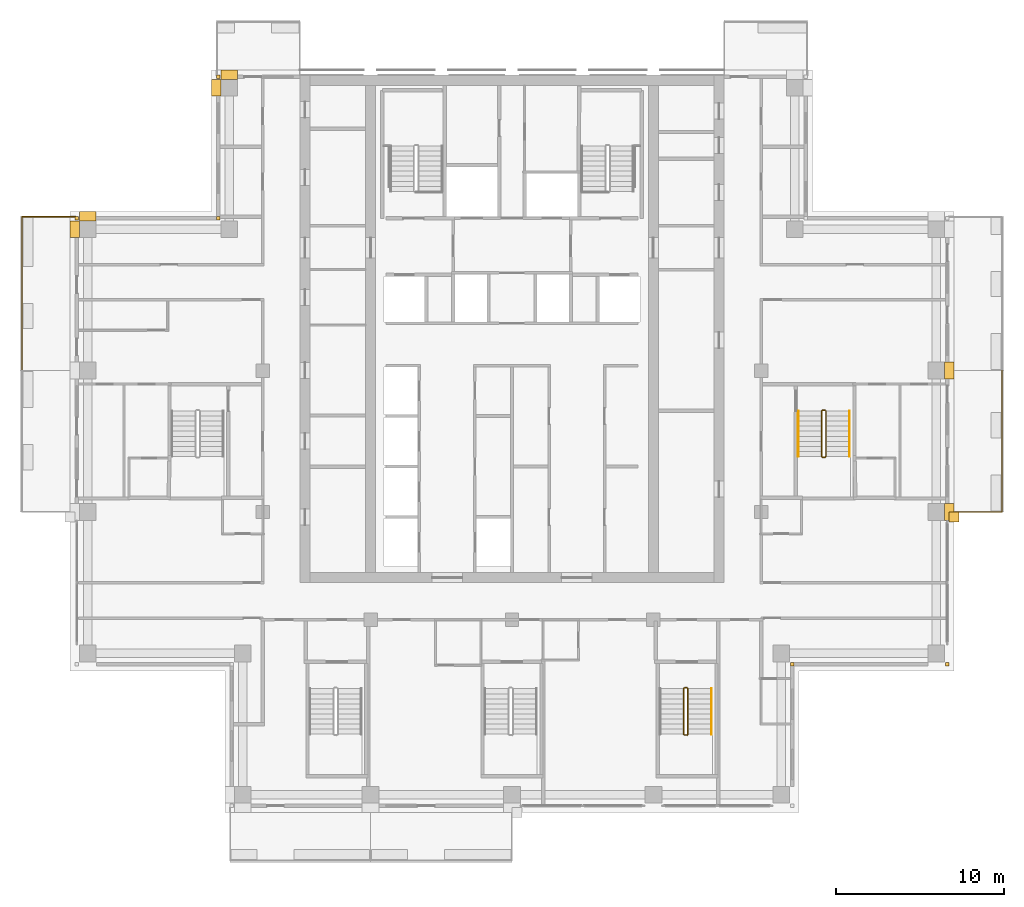
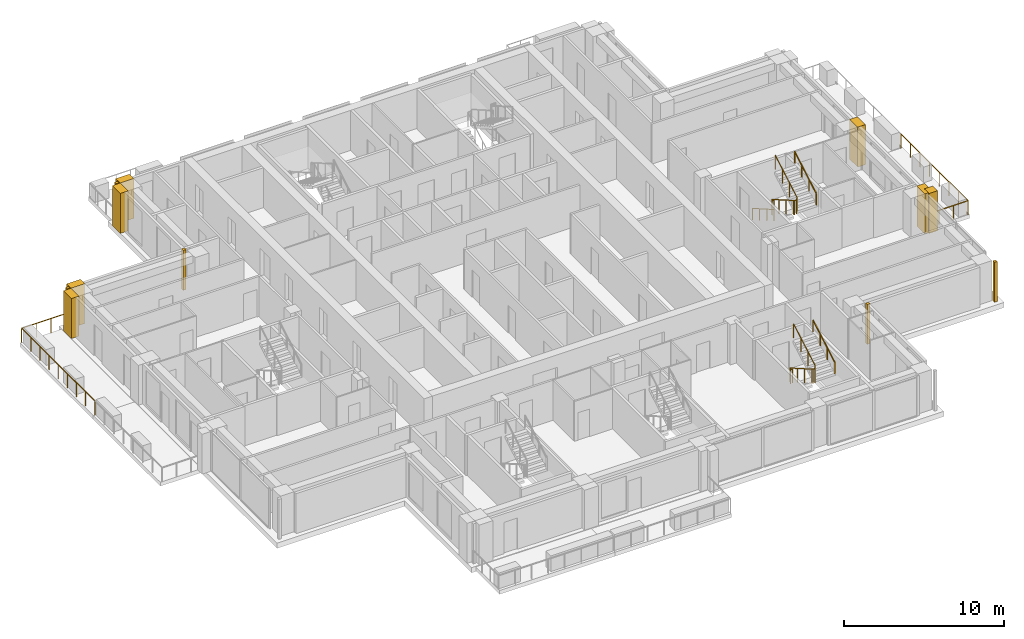
# One storey, part 15 of 17: 12 coverings, 7 railings.
"""IFC4 building model written with IfcOpenShell, lengths in metres."""

from ifc_helpers import new_model, si_unit, direction, frame, origin, origin_2d, place, context, subcontext, project, spatial, polyline, rectangle, outline, extrude, material, type_object, element, save


model = new_model("IFC4")

# Units and contexts
model_context = context("Model", 3, precision=1e-05, world=origin(), true_north=direction((0.0, 1.0)))
body_context = subcontext(model_context, "Body", "Model", "MODEL_VIEW")
ifc_project = project(units=[si_unit("LENGTHUNIT", "METRE"), si_unit("AREAUNIT", "SQUARE_METRE"), si_unit("VOLUMEUNIT", "CUBIC_METRE"), si_unit("PLANEANGLEUNIT", "RADIAN"), si_unit("MASSUNIT", "GRAM", prefix="KILO")], contexts=[model_context])

# Site, building, storey
site_placement = place(None, origin())
site = spatial("IfcSite", under=ifc_project, at=site_placement, CompositionType="ELEMENT")
building_placement = place(site_placement, origin())
building = spatial("IfcBuilding", under=site, at=building_placement, Name="Vermilion Ogive Tower", CompositionType="ELEMENT")
storey_placement = place(building_placement, frame((0.0, 0.0, 196.25)))
storey = spatial("IfcBuildingStorey", under=building, at=storey_placement, Name="L51", CompositionType="ELEMENT", Elevation=196.25)

# Railings
ifc_material_1 = material(Name="Stainless steel and glass", Category="steel")
railing_type_1 = type_object("IfcRailingType", Name="Balcony guard", PredefinedType="GUARDRAIL", material=ifc_material_1)
railing_1_placement = place(storey_placement, frame((25.949951171875, -4.199951171875, -0.0400390625)))
element("IfcRailing", 1, at=railing_1_placement, inside=storey, type_object=railing_type_1, Name="Guard E02", PredefinedType="GUARDRAIL", context=body_context, shape_type="SweptSolid", body=[
    extrude(rectangle(XDim=0.048095703125, YDim=0.048095703125, at=origin_2d()), frame((0.0, 0.0, 1.076171875), z_axis=(1.0, 0.0, 0.0), x_axis=(0.0, 1.0, 0.0)), (0.0, 0.0, 1.0), 3.16015625),
    extrude(rectangle(XDim=0.048095703125, YDim=0.048095703125, at=origin_2d()), frame((3.16015625, 0.0, 1.076171875), z_axis=(0.0, 1.0, 0.0), x_axis=(-1.0, 0.0, 0.0)), (0.0, 0.0, 1.0), 8.39990234375),
    extrude(rectangle(XDim=0.0419921875, YDim=0.0419921875, at=origin_2d()), origin(), (0.0, 0.0, 1.0), 1.052001953125),
    extrude(rectangle(XDim=0.0419921875, YDim=0.0419921875, at=origin_2d()), frame((1.053466796875, 0.0, 0.0)), (0.0, 0.0, 1.0), 1.052001953125),
    extrude(rectangle(XDim=0.0419921875, YDim=0.0419921875, at=origin_2d()), frame((2.106689453125, 0.0, 0.0)), (0.0, 0.0, 1.0), 1.052001953125),
    extrude(rectangle(XDim=0.0419921875, YDim=0.0419921875, at=origin_2d()), frame((3.16015625, 0.0, 0.0)), (0.0, 0.0, 1.0), 1.052001953125),
    extrude(rectangle(XDim=0.0419921875, YDim=0.0419921875, at=origin_2d()), frame((3.16015625, 1.199951171875, 0.0)), (0.0, 0.0, 1.0), 1.052001953125),
    extrude(rectangle(XDim=0.0419921875, YDim=0.0419921875, at=origin_2d()), frame((3.16015625, 2.39990234375, 0.0)), (0.0, 0.0, 1.0), 1.052001953125),
    extrude(rectangle(XDim=0.0419921875, YDim=0.0419921875, at=origin_2d()), frame((3.16015625, 3.599853515625, 0.0)), (0.0, 0.0, 1.0), 1.052001953125),
    extrude(rectangle(XDim=0.0419921875, YDim=0.0419921875, at=origin_2d()), frame((3.16015625, 4.800048828125, 0.0)), (0.0, 0.0, 1.0), 1.052001953125),
    extrude(rectangle(XDim=0.0419921875, YDim=0.0419921875, at=origin_2d()), frame((3.16015625, 6.0, 0.0)), (0.0, 0.0, 1.0), 1.052001953125),
    extrude(rectangle(XDim=0.0419921875, YDim=0.0419921875, at=origin_2d()), frame((3.16015625, 7.199951171875, 0.0)), (0.0, 0.0, 1.0), 1.052001953125),
    extrude(rectangle(XDim=0.0419921875, YDim=0.0419921875, at=origin_2d()), frame((3.16015625, 8.39990234375, 0.0)), (0.0, 0.0, 1.0), 1.052001953125),
])
railing_2_placement = place(storey_placement, frame((-25.949951171875, 13.35009765625, -0.0400390625)))
element("IfcRailing", 2, at=railing_2_placement, inside=storey, type_object=railing_type_1, Name="Guard W01", PredefinedType="GUARDRAIL", context=body_context, shape_type="SweptSolid", body=[
    extrude(rectangle(XDim=0.048095703125, YDim=0.048095703125, at=origin_2d()), frame((0.0, 0.0, 1.076171875), z_axis=(-1.0, 0.0, 0.0), x_axis=(0.0, -1.0, 0.0)), (0.0, 0.0, 1.0), 3.16015625),
    extrude(rectangle(XDim=0.048095703125, YDim=0.048095703125, at=origin_2d()), frame((-3.16015625, 0.0, 1.076171875), z_axis=(0.0, -1.0, 0.0), x_axis=(1.0, 0.0, 0.0)), (0.0, 0.0, 1.0), 9.150146484375),
    extrude(rectangle(XDim=0.0419921875, YDim=0.0419921875, at=origin_2d()), origin(), (0.0, 0.0, 1.0), 1.052001953125),
    extrude(rectangle(XDim=0.0419921875, YDim=0.0419921875, at=origin_2d()), frame((-1.053466796875, 0.0, 0.0)), (0.0, 0.0, 1.0), 1.052001953125),
    extrude(rectangle(XDim=0.0419921875, YDim=0.0419921875, at=origin_2d()), frame((-2.106689453125, 0.0, 0.0)), (0.0, 0.0, 1.0), 1.052001953125),
    extrude(rectangle(XDim=0.0419921875, YDim=0.0419921875, at=origin_2d()), frame((-3.16015625, 0.0, 0.0)), (0.0, 0.0, 1.0), 1.052001953125),
    extrude(rectangle(XDim=0.0419921875, YDim=0.0419921875, at=origin_2d()), frame((-3.16015625, -1.143798828125, 0.0)), (0.0, 0.0, 1.0), 1.052001953125),
    extrude(rectangle(XDim=0.0419921875, YDim=0.0419921875, at=origin_2d()), frame((-3.16015625, -2.28759765625, 0.0)), (0.0, 0.0, 1.0), 1.052001953125),
    extrude(rectangle(XDim=0.0419921875, YDim=0.0419921875, at=origin_2d()), frame((-3.16015625, -3.431396484375, 0.0)), (0.0, 0.0, 1.0), 1.052001953125),
    extrude(rectangle(XDim=0.0419921875, YDim=0.0419921875, at=origin_2d()), frame((-3.16015625, -4.5751953125, 0.0)), (0.0, 0.0, 1.0), 1.052001953125),
    extrude(rectangle(XDim=0.0419921875, YDim=0.0419921875, at=origin_2d()), frame((-3.16015625, -5.71875, 0.0)), (0.0, 0.0, 1.0), 1.052001953125),
    extrude(rectangle(XDim=0.0419921875, YDim=0.0419921875, at=origin_2d()), frame((-3.16015625, -6.862548828125, 0.0)), (0.0, 0.0, 1.0), 1.052001953125),
    extrude(rectangle(XDim=0.0419921875, YDim=0.0419921875, at=origin_2d()), frame((-3.16015625, -8.00634765625, 0.0)), (0.0, 0.0, 1.0), 1.052001953125),
    extrude(rectangle(XDim=0.0419921875, YDim=0.0419921875, at=origin_2d()), frame((-3.16015625, -9.150146484375, 0.0)), (0.0, 0.0, 1.0), 1.052001953125),
])
ifc_material_2 = material(Name="Steel S355 painted", Category="steel")
railing_type_2 = type_object("IfcRailingType", Name="Stair guard 1100", PredefinedType="GUARDRAIL", material=ifc_material_2)
railing_3_placement = place(storey_placement, frame((10.39990234375, -14.64990234375, 0.0)))
element("IfcRailing", 3, at=railing_3_placement, inside=storey, type_object=railing_type_2, Name="L51 ST5 stair guard 4", PredefinedType="GUARDRAIL", context=body_context, shape_type="SweptSolid", body=[
    extrude(rectangle(XDim=0.048095703125, YDim=0.048095703125, at=origin_2d()), frame((0.0, 0.0, 1.076171875), z_axis=(-1.0, 0.0, 0.0), x_axis=(0.0, -1.0, 0.0)), (0.0, 0.0, 1.0), 0.14990234375),
    extrude(rectangle(XDim=0.048095703125, YDim=0.048095703125, at=origin_2d()), frame((-0.14990234375, 0.0, 1.076171875), z_axis=(-0.268277960024, -0.268277960024, 0.925231793839), x_axis=(0.707106781187, -0.707106781187, 0.0)), (0.0, 0.0, 1.0), 0.1865234375),
    extrude(rectangle(XDim=0.048095703125, YDim=0.048095703125, at=origin_2d()), frame((-0.199951171875, -0.050048828125, 1.24853515625), z_axis=(0.0, -0.866903762492, 0.498475542607), x_axis=(1.0, 0.0, 0.0)), (0.0, 0.0, 1.0), 3.114501953125),
    extrude(rectangle(XDim=0.048095703125, YDim=0.048095703125, at=origin_2d()), frame((-0.199951171875, -2.75, 2.80126953125), z_axis=(0.707106781187, -0.707106781187, 0.0), x_axis=(0.707106781187, 0.707106781187, 0.0)), (0.0, 0.0, 1.0), 0.07080078125),
    extrude(rectangle(XDim=0.048095703125, YDim=0.048095703125, at=origin_2d()), frame((-0.14990234375, -2.800048828125, 2.80126953125), z_axis=(1.0, 0.0, 0.0), x_axis=(0.0, 1.0, 0.0)), (0.0, 0.0, 1.0), 0.14990234375),
    extrude(rectangle(XDim=0.048095703125, YDim=0.048095703125, at=origin_2d()), frame((0.0, -2.800048828125, 2.80126953125), z_axis=(0.268603158521, 0.268603158521, 0.925043072762), x_axis=(-0.707106781187, 0.707106781187, 0.0)), (0.0, 0.0, 1.0), 0.186279296875),
    extrude(rectangle(XDim=0.048095703125, YDim=0.048095703125, at=origin_2d()), frame((0.050048828125, -2.75, 2.9736328125), z_axis=(0.0, 0.866903762492, 0.498475542607), x_axis=(-1.0, 0.0, 0.0)), (0.0, 0.0, 1.0), 3.114501953125),
    extrude(rectangle(XDim=0.0419921875, YDim=0.0419921875, at=origin_2d()), origin(), (0.0, 0.0, 1.0), 1.052001953125),
    extrude(rectangle(XDim=0.0419921875, YDim=0.0419921875, at=origin_2d()), frame((-0.14990234375, 0.0, 0.0)), (0.0, 0.0, 1.0), 1.052001953125),
    extrude(rectangle(XDim=0.0419921875, YDim=0.0419921875, at=origin_2d()), frame((-0.199951171875, -0.050048828125, 0.172607421875)), (0.0, 0.0, 1.0), 1.052001953125),
    extrude(rectangle(XDim=0.0419921875, YDim=0.0419921875, at=origin_2d()), frame((-0.199951171875, -0.949951171875, 0.690185546875)), (0.0, 0.0, 1.0), 1.052001953125),
    extrude(rectangle(XDim=0.0419921875, YDim=0.0419921875, at=origin_2d()), frame((-0.199951171875, -1.85009765625, 1.20751953125)), (0.0, 0.0, 1.0), 1.052001953125),
    extrude(rectangle(XDim=0.0419921875, YDim=0.0419921875, at=origin_2d()), frame((-0.199951171875, -2.75, 1.72509765625)), (0.0, 0.0, 1.0), 1.052001953125),
    extrude(rectangle(XDim=0.0419921875, YDim=0.0419921875, at=origin_2d()), frame((-0.14990234375, -2.800048828125, 1.72509765625)), (0.0, 0.0, 1.0), 1.052001953125),
    extrude(rectangle(XDim=0.0419921875, YDim=0.0419921875, at=origin_2d()), frame((0.0, -2.800048828125, 1.72509765625)), (0.0, 0.0, 1.0), 1.052001953125),
    extrude(rectangle(XDim=0.0419921875, YDim=0.0419921875, at=origin_2d()), frame((0.050048828125, -2.75, 1.8974609375)), (0.0, 0.0, 1.0), 1.052001953125),
    extrude(rectangle(XDim=0.0419921875, YDim=0.0419921875, at=origin_2d()), frame((0.050048828125, -1.85009765625, 2.4150390625)), (0.0, 0.0, 1.0), 1.052001953125),
    extrude(rectangle(XDim=0.0419921875, YDim=0.0419921875, at=origin_2d()), frame((0.050048828125, -0.949951171875, 2.932373046875)), (0.0, 0.0, 1.0), 1.052001953125),
    extrude(rectangle(XDim=0.0419921875, YDim=0.0419921875, at=origin_2d()), frame((0.050048828125, -0.050048828125, 3.449951171875)), (0.0, 0.0, 1.0), 1.052001953125),
])
railing_4_placement = place(storey_placement, frame((18.60009765625, 1.85009765625, 0.0)))
element("IfcRailing", 4, at=railing_4_placement, inside=storey, type_object=railing_type_2, Name="L51 ST8 stair guard 4", PredefinedType="GUARDRAIL", context=body_context, shape_type="SweptSolid", body=[
    extrude(rectangle(XDim=0.048095703125, YDim=0.048095703125, at=origin_2d()), frame((0.0, 0.0, 1.076171875), z_axis=(-1.0, 0.0, 0.0), x_axis=(0.0, -1.0, 0.0)), (0.0, 0.0, 1.0), 0.150146484375),
    extrude(rectangle(XDim=0.048095703125, YDim=0.048095703125, at=origin_2d()), frame((-0.150146484375, 0.0, 1.076171875), z_axis=(-0.268277960024, -0.268277960024, 0.925231793839), x_axis=(0.707106781187, -0.707106781187, 0.0)), (0.0, 0.0, 1.0), 0.1865234375),
    extrude(rectangle(XDim=0.048095703125, YDim=0.048095703125, at=origin_2d()), frame((-0.2001953125, -0.050048828125, 1.24853515625), z_axis=(0.0, -0.866903762492, 0.498475542607), x_axis=(1.0, 0.0, 0.0)), (0.0, 0.0, 1.0), 3.114501953125),
    extrude(rectangle(XDim=0.048095703125, YDim=0.048095703125, at=origin_2d()), frame((-0.2001953125, -2.75, 2.80126953125), z_axis=(0.707106781187, -0.707106781187, 0.0), x_axis=(0.707106781187, 0.707106781187, 0.0)), (0.0, 0.0, 1.0), 0.07080078125),
    extrude(rectangle(XDim=0.048095703125, YDim=0.048095703125, at=origin_2d()), frame((-0.150146484375, -2.800048828125, 2.80126953125), z_axis=(1.0, 0.0, 0.0), x_axis=(0.0, 1.0, 0.0)), (0.0, 0.0, 1.0), 0.150146484375),
    extrude(rectangle(XDim=0.048095703125, YDim=0.048095703125, at=origin_2d()), frame((0.0, -2.800048828125, 2.80126953125), z_axis=(0.267386790225, 0.268697509785, 0.925368009307), x_axis=(-0.708833529934, 0.705375805398, 0.0)), (0.0, 0.0, 1.0), 0.186279296875),
    extrude(rectangle(XDim=0.048095703125, YDim=0.048095703125, at=origin_2d()), frame((0.0498046875, -2.75, 2.9736328125), z_axis=(0.0, 0.866903762492, 0.498475542607), x_axis=(-1.0, 0.0, 0.0)), (0.0, 0.0, 1.0), 3.114501953125),
    extrude(rectangle(XDim=0.0419921875, YDim=0.0419921875, at=origin_2d()), origin(), (0.0, 0.0, 1.0), 1.052001953125),
    extrude(rectangle(XDim=0.0419921875, YDim=0.0419921875, at=origin_2d()), frame((-0.150146484375, 0.0, 0.0)), (0.0, 0.0, 1.0), 1.052001953125),
    extrude(rectangle(XDim=0.0419921875, YDim=0.0419921875, at=origin_2d()), frame((-0.2001953125, -0.050048828125, 0.172607421875)), (0.0, 0.0, 1.0), 1.052001953125),
    extrude(rectangle(XDim=0.0419921875, YDim=0.0419921875, at=origin_2d()), frame((-0.2001953125, -0.949951171875, 0.690185546875)), (0.0, 0.0, 1.0), 1.052001953125),
    extrude(rectangle(XDim=0.0419921875, YDim=0.0419921875, at=origin_2d()), frame((-0.2001953125, -1.85009765625, 1.20751953125)), (0.0, 0.0, 1.0), 1.052001953125),
    extrude(rectangle(XDim=0.0419921875, YDim=0.0419921875, at=origin_2d()), frame((-0.2001953125, -2.75, 1.72509765625)), (0.0, 0.0, 1.0), 1.052001953125),
    extrude(rectangle(XDim=0.0419921875, YDim=0.0419921875, at=origin_2d()), frame((-0.150146484375, -2.800048828125, 1.72509765625)), (0.0, 0.0, 1.0), 1.052001953125),
    extrude(rectangle(XDim=0.0419921875, YDim=0.0419921875, at=origin_2d()), frame((0.0, -2.800048828125, 1.72509765625)), (0.0, 0.0, 1.0), 1.052001953125),
    extrude(rectangle(XDim=0.0419921875, YDim=0.0419921875, at=origin_2d()), frame((0.0498046875, -2.75, 1.8974609375)), (0.0, 0.0, 1.0), 1.052001953125),
    extrude(rectangle(XDim=0.0419921875, YDim=0.0419921875, at=origin_2d()), frame((0.0498046875, -1.85009765625, 2.4150390625)), (0.0, 0.0, 1.0), 1.052001953125),
    extrude(rectangle(XDim=0.0419921875, YDim=0.0419921875, at=origin_2d()), frame((0.0498046875, -0.949951171875, 2.932373046875)), (0.0, 0.0, 1.0), 1.052001953125),
    extrude(rectangle(XDim=0.0419921875, YDim=0.0419921875, at=origin_2d()), frame((0.0498046875, -0.050048828125, 3.449951171875)), (0.0, 0.0, 1.0), 1.052001953125),
])
ifc_material_3 = material(Name="Stainless steel", Category="steel")
railing_type_3 = type_object("IfcRailingType", Name="Stair handrail 900", PredefinedType="HANDRAIL", material=ifc_material_3)
railing_5_placement = place(storey_placement, frame((11.85009765625, -17.39990234375, 1.8974609375)))
element("IfcRailing", 5, at=railing_5_placement, inside=storey, type_object=railing_type_3, Name="L51 ST5 stair handrail 2", PredefinedType="HANDRAIL", context=body_context, shape_type="SweptSolid", body=[
    extrude(rectangle(XDim=0.048095703125, YDim=0.048095703125, at=origin_2d()), frame((0.0, 0.0, 0.8759765625), z_axis=(0.0, 0.866903762492, 0.498475542607), x_axis=(-1.0, 0.0, 0.0)), (0.0, 0.0, 1.0), 3.114501953125),
    extrude(rectangle(XDim=0.0419921875, YDim=0.0419921875, at=origin_2d()), origin(), (0.0, 0.0, 1.0), 0.851806640625),
    extrude(rectangle(XDim=0.0419921875, YDim=0.0419921875, at=origin_2d()), frame((0.0, 0.89990234375, 0.517578125)), (0.0, 0.0, 1.0), 0.851806640625),
    extrude(rectangle(XDim=0.0419921875, YDim=0.0419921875, at=origin_2d()), frame((0.0, 1.800048828125, 1.034912109375)), (0.0, 0.0, 1.0), 0.851806640625),
    extrude(rectangle(XDim=0.0419921875, YDim=0.0419921875, at=origin_2d()), frame((0.0, 2.699951171875, 1.552490234375)), (0.0, 0.0, 1.0), 0.851806640625),
])
railing_6_placement = place(storey_placement, frame((17.0, 1.800048828125, 0.172607421875)))
element("IfcRailing", 6, at=railing_6_placement, inside=storey, type_object=railing_type_3, Name="L51 ST8 stair handrail 1", PredefinedType="HANDRAIL", context=body_context, shape_type="SweptSolid", body=[
    extrude(rectangle(XDim=0.048095703125, YDim=0.048095703125, at=origin_2d()), frame((0.0, 0.0, 0.8759765625), z_axis=(0.0, -0.866903762492, 0.498475542607), x_axis=(1.0, 0.0, 0.0)), (0.0, 0.0, 1.0), 3.114501953125),
    extrude(rectangle(XDim=0.0419921875, YDim=0.0419921875, at=origin_2d()), origin(), (0.0, 0.0, 1.0), 0.851806640625),
    extrude(rectangle(XDim=0.0419921875, YDim=0.0419921875, at=origin_2d()), frame((0.0, -0.89990234375, 0.517578125)), (0.0, 0.0, 1.0), 0.851806640625),
    extrude(rectangle(XDim=0.0419921875, YDim=0.0419921875, at=origin_2d()), frame((0.0, -1.800048828125, 1.034912109375)), (0.0, 0.0, 1.0), 0.851806640625),
    extrude(rectangle(XDim=0.0419921875, YDim=0.0419921875, at=origin_2d()), frame((0.0, -2.699951171875, 1.552490234375)), (0.0, 0.0, 1.0), 0.851806640625),
])
railing_7_placement = place(storey_placement, frame((20.050048828125, -0.89990234375, 1.8974609375)))
element("IfcRailing", 7, at=railing_7_placement, inside=storey, type_object=railing_type_3, Name="L51 ST8 stair handrail 2", PredefinedType="HANDRAIL", context=body_context, shape_type="SweptSolid", body=[
    extrude(rectangle(XDim=0.048095703125, YDim=0.048095703125, at=origin_2d()), frame((0.0, 0.0, 0.8759765625), z_axis=(0.0, 0.866903762492, 0.498475542607), x_axis=(-1.0, 0.0, 0.0)), (0.0, 0.0, 1.0), 3.114501953125),
    extrude(rectangle(XDim=0.0419921875, YDim=0.0419921875, at=origin_2d()), origin(), (0.0, 0.0, 1.0), 0.851806640625),
    extrude(rectangle(XDim=0.0419921875, YDim=0.0419921875, at=origin_2d()), frame((0.0, 0.89990234375, 0.517578125)), (0.0, 0.0, 1.0), 0.851806640625),
    extrude(rectangle(XDim=0.0419921875, YDim=0.0419921875, at=origin_2d()), frame((0.0, 1.800048828125, 1.034912109375)), (0.0, 0.0, 1.0), 0.851806640625),
    extrude(rectangle(XDim=0.0419921875, YDim=0.0419921875, at=origin_2d()), frame((0.0, 2.699951171875, 1.552490234375)), (0.0, 0.0, 1.0), 0.851806640625),
])

# Coverings
ifc_material_4 = material(Name="Stone cladding", Category="masonry")
covering_type_1 = type_object("IfcCoveringType", Name="Stone corner buttress", PredefinedType="CLADDING", material=ifc_material_4)
covering_1_placement = place(storey_placement, origin())
element("IfcCovering", 8, at=covering_1_placement, inside=storey, type_object=covering_type_1, Name="Stone crease pier EK", PredefinedType="CLADDING", context=body_context, shape_type="SweptSolid", body=[
    extrude(outline(polyline([(26.550048828125, -4.800048828125), (26.550048828125, -4.199951171875), (25.949951171875, -4.199951171875), (25.949951171875, -4.800048828125), (26.550048828125, -4.800048828125)])), origin(), (0.0, 0.0, 1.0), 3.050048828125),
])
ifc_material_5 = material(Name="Stone cladding", Category="masonry")
covering_type_2 = type_object("IfcCoveringType", Name="Stone pier", PredefinedType="CLADDING", material=ifc_material_5)
covering_2_placement = place(storey_placement, origin())
element("IfcCovering", 9, at=covering_2_placement, inside=storey, type_object=covering_type_2, Name="Stone corner pier X1E1", PredefinedType="CLADDING", context=body_context, shape_type="SweptSolid", body=[
    extrude(outline(polyline([(16.550048828125, -13.14990234375), (16.75, -13.14990234375), (16.75, -13.35009765625), (16.550048828125, -13.35009765625), (16.550048828125, -13.14990234375)])), origin(), (0.0, 0.0, 1.0), 3.050048828125),
])
covering_3_placement = place(storey_placement, origin())
element("IfcCovering", 10, at=covering_3_placement, inside=storey, type_object=covering_type_2, Name="Stone corner pier X2E1", PredefinedType="CLADDING", context=body_context, shape_type="SweptSolid", body=[
    extrude(outline(polyline([(25.75, -13.14990234375), (25.949951171875, -13.14990234375), (25.949951171875, -13.35009765625), (25.75, -13.35009765625), (25.75, -13.14990234375)])), origin(), (0.0, 0.0, 1.0), 3.050048828125),
])
covering_4_placement = place(storey_placement, origin())
element("IfcCovering", 11, at=covering_4_placement, inside=storey, type_object=covering_type_2, Name="Stone corner pier N2E1", PredefinedType="CLADDING", context=body_context, shape_type="SweptSolid", body=[
    extrude(outline(polyline([(-17.35009765625, 21.550048828125), (-17.550048828125, 21.550048828125), (-17.550048828125, 21.75), (-17.35009765625, 21.75), (-17.35009765625, 21.550048828125)])), origin(), (0.0, 0.0, 1.0), 3.050048828125),
])
covering_5_placement = place(storey_placement, origin())
element("IfcCovering", 12, at=covering_5_placement, inside=storey, type_object=covering_type_2, Name="Stone corner pier X5E1", PredefinedType="CLADDING", context=body_context, shape_type="SweptSolid", body=[
    extrude(outline(polyline([(-17.35009765625, 13.14990234375), (-17.550048828125, 13.14990234375), (-17.550048828125, 13.35009765625), (-17.35009765625, 13.35009765625), (-17.35009765625, 13.14990234375)])), origin(), (0.0, 0.0, 1.0), 3.050048828125),
])
covering_6_placement = place(storey_placement, origin())
element("IfcCovering", 13, at=covering_6_placement, inside=storey, type_object=covering_type_2, Name="Stone corner pier X6E1", PredefinedType="CLADDING", context=body_context, shape_type="SweptSolid", body=[
    extrude(outline(polyline([(-25.75, 13.14990234375), (-25.949951171875, 13.14990234375), (-25.949951171875, 13.35009765625), (-25.75, 13.35009765625), (-25.75, 13.14990234375)])), origin(), (0.0, 0.0, 1.0), 3.050048828125),
])
covering_7_placement = place(storey_placement, origin())
element("IfcCovering", 14, at=covering_7_placement, inside=storey, type_object=covering_type_2, Name="Stone pier P+0252+042", PredefinedType="CLADDING", context=body_context, shape_type="SweptSolid", body=[
    extrude(outline(polyline([(25.699951171875, 4.699951171875), (26.25, 4.699951171875), (26.25, 3.699951171875), (25.699951171875, 3.699951171875), (25.699951171875, 4.699951171875), (25.699951171875, 4.699951171875)])), origin(), (0.0, 0.0, 1.0), 3.050048828125),
])
covering_8_placement = place(storey_placement, origin())
element("IfcCovering", 15, at=covering_8_placement, inside=storey, type_object=covering_type_2, Name="Stone pier P+0252-042", PredefinedType="CLADDING", context=body_context, shape_type="SweptSolid", body=[
    extrude(outline(polyline([(25.699951171875, -3.699951171875), (26.25, -3.699951171875), (26.25, -4.199951171875), (25.949951171875, -4.199951171875), (25.949951171875, -4.699951171875), (25.699951171875, -4.699951171875), (25.699951171875, -4.699951171875), (25.699951171875, -3.699951171875)])), origin(), (0.0, 0.0, 1.0), 3.050048828125),
])
covering_9_placement = place(storey_placement, origin())
element("IfcCovering", 16, at=covering_9_placement, inside=storey, type_object=covering_type_2, Name="Stone pier P-0168+210N2", PredefinedType="CLADDING", context=body_context, shape_type="SweptSolid", body=[
    extrude(outline(polyline([(-17.300048828125, 21.5), (-17.300048828125, 22.050048828125), (-16.300048828125, 22.050048828125), (-16.300048828125, 21.5), (-17.300048828125, 21.5), (-17.300048828125, 21.5)])), origin(), (0.0, 0.0, 1.0), 3.050048828125),
])
covering_10_placement = place(storey_placement, origin())
element("IfcCovering", 17, at=covering_10_placement, inside=storey, type_object=covering_type_2, Name="Stone pier P-0168+210X5", PredefinedType="CLADDING", context=body_context, shape_type="SweptSolid", body=[
    extrude(outline(polyline([(-17.85009765625, 21.5), (-17.300048828125, 21.5), (-17.300048828125, 21.5), (-17.300048828125, 20.5), (-17.85009765625, 20.5), (-17.85009765625, 21.5)])), origin(), (0.0, 0.0, 1.0), 3.050048828125),
])
covering_11_placement = place(storey_placement, origin())
element("IfcCovering", 18, at=covering_11_placement, inside=storey, type_object=covering_type_2, Name="Stone pier P-0252+126X6", PredefinedType="CLADDING", context=body_context, shape_type="SweptSolid", body=[
    extrude(outline(polyline([(-25.699951171875, 13.10009765625), (-25.699951171875, 13.64990234375), (-24.699951171875, 13.64990234375), (-24.699951171875, 13.10009765625), (-24.699951171875, 13.10009765625), (-25.699951171875, 13.10009765625)])), origin(), (0.0, 0.0, 1.0), 3.050048828125),
])
covering_12_placement = place(storey_placement, origin())
element("IfcCovering", 19, at=covering_12_placement, inside=storey, type_object=covering_type_2, Name="Stone pier P-0252+126W", PredefinedType="CLADDING", context=body_context, shape_type="SweptSolid", body=[
    extrude(outline(polyline([(-26.25, 13.10009765625), (-25.699951171875, 13.10009765625), (-25.699951171875, 12.10009765625), (-26.25, 12.10009765625), (-26.25, 13.10009765625)])), origin(), (0.0, 0.0, 1.0), 3.050048828125),
])

save(model, "model.ifc")
